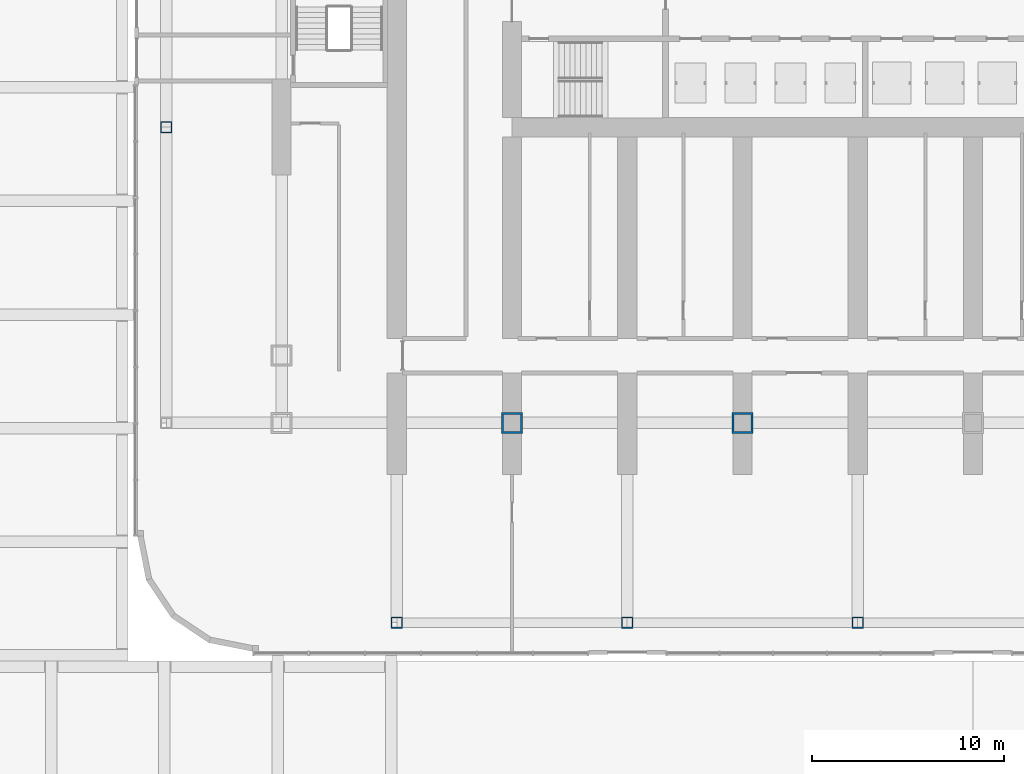
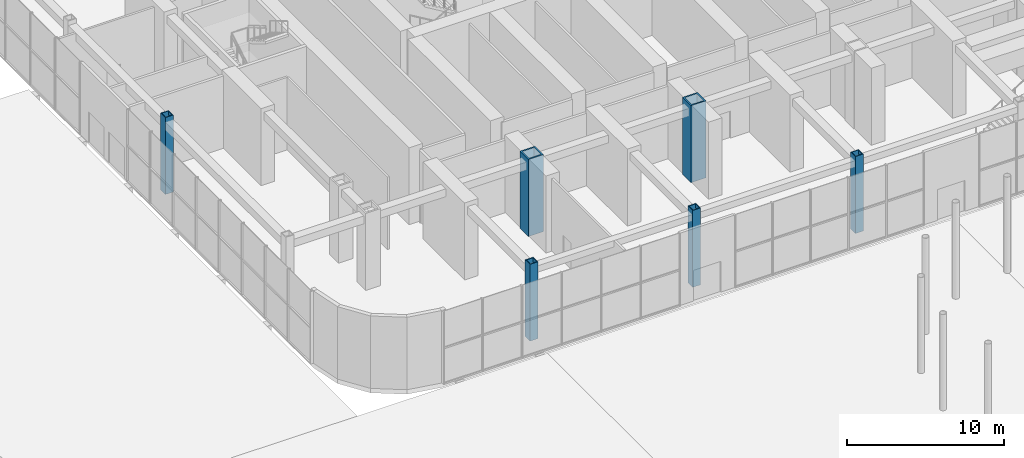
# One storey, part 3 of 57: 6 columns.
"""IFC4 building model written with IfcOpenShell, lengths in metres."""

from ifc_helpers import new_model, si_unit, direction, frame, origin, origin_2d, place, context, subcontext, project, spatial, hollow_rectangle, extrude, material, material_profile, profile_set, type_object, element, save


model = new_model("IFC4")

# Units and contexts
model_context = context("Model", 3, precision=1e-05, world=origin(), true_north=direction((0.0, 1.0)))
body_context = subcontext(model_context, "Body", "Model", "MODEL_VIEW")
ifc_project = project(units=[si_unit("LENGTHUNIT", "METRE"), si_unit("AREAUNIT", "SQUARE_METRE"), si_unit("VOLUMEUNIT", "CUBIC_METRE"), si_unit("PLANEANGLEUNIT", "RADIAN"), si_unit("MASSUNIT", "GRAM", prefix="KILO")], contexts=[model_context])

# Site, building, storey
site_placement = place(None, origin())
site = spatial("IfcSite", under=ifc_project, at=site_placement, CompositionType="ELEMENT")
building_placement = place(site_placement, origin())
building = spatial("IfcBuilding", under=site, at=building_placement, Name="Orbita Commons", CompositionType="ELEMENT")
storey_placement = place(building_placement, origin())
storey = spatial("IfcBuildingStorey", under=building, at=storey_placement, Name="L00", CompositionType="ELEMENT", Elevation=0.0)

# Columns
ifc_material_1 = material(Name="Steel ASTM A572 Gr 42 welded plate", Category="steel")
ifc_material_profile_1 = material_profile(ifc_material_1, hollow_rectangle(XDim=1.10009765625, YDim=1.10009765625, WallThickness=0.110107421875, at=origin_2d()), Name="BOX 1100x1100x110")
ifc_profile_set_1 = profile_set([ifc_material_profile_1], Name="Steel ASTM A572 Gr 42 welded plate")
column_type_1 = type_object("IfcColumnType", Name="Steel column BOX 1100x1100x110", PredefinedType="COLUMN", material=ifc_profile_set_1)
for number, where, z_axis, x_axis, name in (
    (1, (18.0, 10.39990234375, 0.0), (0.0, 0.0, 1.0), (1.0, 0.0, 0.0), "Column 4/B L00"),
    (2, (30.0, 10.39990234375, 0.0), (0.0, 0.0, 1.0), (1.0, 0.0, 0.0), "Column 6/B L00"),
):
    element("IfcColumn", number, at=place(storey_placement, frame(where, z_axis=z_axis, x_axis=x_axis)), inside=storey, type_object=column_type_1, Name=name, PredefinedType="COLUMN", context=body_context, shape_type="SweptSolid", body=[
        extrude(hollow_rectangle(XDim=1.10009765625, YDim=1.10009765625, WallThickness=0.110107421875, at=origin_2d()), origin(), (0.0, 0.0, 1.0), 6.0),
    ])
ifc_material_2 = material(Name="Steel ASTM A572 Gr 50 welded plate", Category="steel")
ifc_material_profile_2 = material_profile(ifc_material_2, hollow_rectangle(XDim=0.60009765625, YDim=0.60009765625, WallThickness=0.06005859375, at=origin_2d()), Name="BOX 600x600x60")
ifc_profile_set_2 = profile_set([ifc_material_profile_2], Name="Steel ASTM A572 Gr 50 welded plate")
column_type_2 = type_object("IfcColumnType", Name="Steel column BOX 600x600x60", PredefinedType="COLUMN", material=ifc_profile_set_2)
for number, where, z_axis, x_axis, name in (
    (3, (12.0, 0.0, 0.0), (0.0, 0.0, 1.0), (1.0, 0.0, 0.0), "Column 3/A L00"),
    (4, (24.0, 0.0, 0.0), (0.0, 0.0, 1.0), (1.0, 0.0, 0.0), "Column 5/A L00"),
    (5, (36.0, 0.0, 0.0), (0.0, 0.0, 1.0), (1.0, 0.0, 0.0), "Column 7/A L00"),
    (6, (0.0, 25.800048828125, 0.0), (0.0, 0.0, 1.0), (1.0, 0.0, 0.0), "Column 1/C L00"),
):
    element("IfcColumn", number, at=place(storey_placement, frame(where, z_axis=z_axis, x_axis=x_axis)), inside=storey, type_object=column_type_2, Name=name, PredefinedType="COLUMN", context=body_context, shape_type="SweptSolid", body=[
        extrude(hollow_rectangle(XDim=0.60009765625, YDim=0.60009765625, WallThickness=0.06005859375, at=origin_2d()), origin(), (0.0, 0.0, 1.0), 6.0),
    ])

save(model, "model.ifc")
